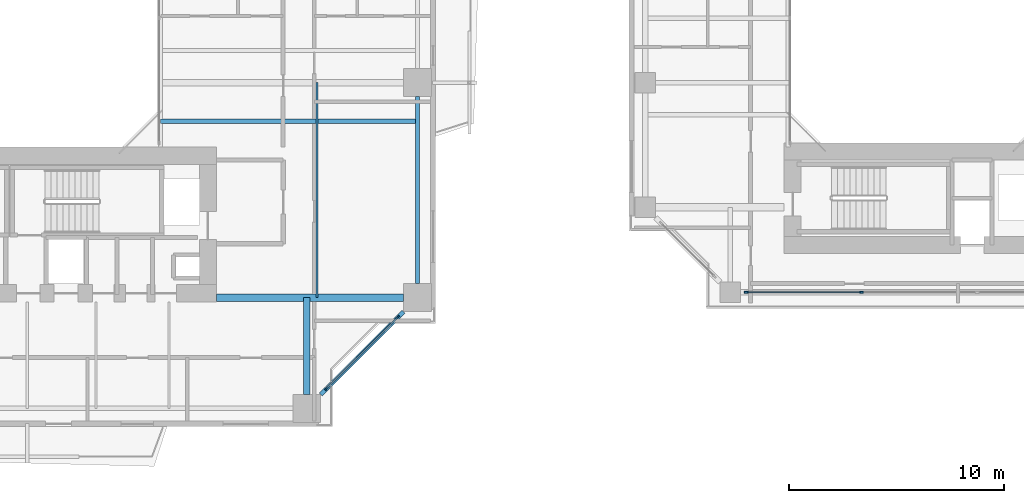
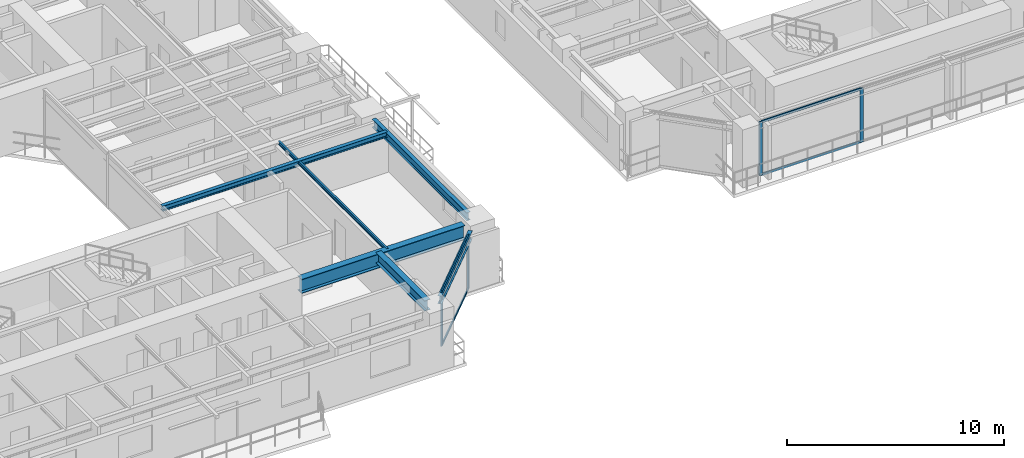
# One storey, part 5 of 24: 8 members, 6 beams, 2 elements without a shape of their own.
"""IFC4 building model written with IfcOpenShell, lengths in metres."""

from ifc_helpers import new_model, si_unit, direction, frame, origin, origin_2d, place, context, subcontext, project, spatial, rectangle, i_section, extrude, source, transform, mapped, material, layer, layer_set, material_profile, profile_set, type_object, element, aggregate, save


model = new_model("IFC4")

# Units and contexts
model_context = context("Model", 3, precision=1e-05, world=origin(), true_north=direction((0.0, 1.0)))
body_context = subcontext(model_context, "Body", "Model", "MODEL_VIEW")
ifc_project = project(units=[si_unit("LENGTHUNIT", "METRE"), si_unit("AREAUNIT", "SQUARE_METRE"), si_unit("VOLUMEUNIT", "CUBIC_METRE"), si_unit("PLANEANGLEUNIT", "RADIAN"), si_unit("MASSUNIT", "GRAM", prefix="KILO"), si_unit("THERMODYNAMICTEMPERATUREUNIT", "KELVIN"), si_unit("POWERUNIT", "WATT")], contexts=[model_context])

# Site, building, storey
site_placement = place(None, origin())
site = spatial("IfcSite", under=ifc_project, at=site_placement, CompositionType="ELEMENT")
building_placement = place(site_placement, origin())
building = spatial("IfcBuilding", under=site, at=building_placement, Name="Qiaomeng Ring Towers", CompositionType="ELEMENT")
storey_placement = place(building_placement, frame((0.0, 0.0, 42.5)))
storey = spatial("IfcBuildingStorey", under=building, at=storey_placement, Name="L11", CompositionType="ELEMENT", Elevation=42.5)

# Beams
ifc_material_1 = material(Name="Steel Q355B", Category="steel")
ifc_material_profile_1 = material_profile(ifc_material_1, i_section(OverallWidth=0.199951171875, OverallDepth=0.449951171875, WebThickness=0.009033203125, FlangeThickness=0.013916015625, FilletRadius=0.01806640625, at=origin_2d()), Name="HN 450x200x9x14")
ifc_profile_set_1 = profile_set([ifc_material_profile_1], Name="Steel Q355B")
beam_type_1 = type_object("IfcBeamType", Name="STR-BM-HN450", PredefinedType="SPANDREL", material=ifc_profile_set_1)
shared_shape_1 = source(origin(), body_context, "Body", "SweptSolid", [
    extrude(i_section(OverallWidth=0.199951171875, OverallDepth=0.449951171875, WebThickness=0.009033203125, FlangeThickness=0.013916015625, FilletRadius=0.01806640625, at=origin_2d()), origin(), (0.0, 0.0, 1.0), 5.446533203125),
])
beam_1_placement = place(storey_placement, frame((32.6494140625, 5.499267578125, 2.804931640625), z_axis=(0.707106781187, 0.707106781187, 0.0), x_axis=(-0.707106781187, 0.707106781187, 0.0)))
element("IfcBeam", 1, at=beam_1_placement, inside=storey, type_object=beam_type_1, Name="L11 beam STR-SP-L11-T1-S2-E1", PredefinedType="SPANDREL", context=body_context, shape_type="MappedRepresentation", body=[
    mapped(shared_shape_1, transform((0.0, 0.0, 0.0), x_axis=(1.0, 0.0, 0.0), y_axis=(0.0, 1.0, 0.0), z_axis=(0.0, 0.0, 1.0), scale=1.0)),
])
shared_shape_2 = source(origin(), body_context, "Body", "SweptSolid", [
    extrude(i_section(OverallWidth=0.199951171875, OverallDepth=0.449951171875, WebThickness=0.009033203125, FlangeThickness=0.013916015625, FilletRadius=0.01806640625, at=origin_2d()), origin(), (0.0, 0.0, 1.0), 8.7021484375),
])
beam_2_placement = place(storey_placement, frame((37.14990234375, 10.64892578125, 2.804931640625), z_axis=(0.0, 1.0, 0.0), x_axis=(-1.0, 0.0, 0.0)))
element("IfcBeam", 2, at=beam_2_placement, inside=storey, type_object=beam_type_1, Name="L11 beam STR-SP-L11-T1-E1-E2", PredefinedType="SPANDREL", context=body_context, shape_type="MappedRepresentation", body=[
    mapped(shared_shape_2, transform((0.0, 0.0, 0.0), x_axis=(1.0, 0.0, 0.0), y_axis=(0.0, 1.0, 0.0), z_axis=(0.0, 0.0, 1.0), scale=1.0)),
])
ifc_material_2 = material(Name="Steel Q390GJC", Category="steel")
ifc_material_profile_2 = material_profile(ifc_material_2, i_section(OverallWidth=0.35009765625, OverallDepth=0.800048828125, WebThickness=0.01611328125, FlangeThickness=0.028076171875, at=origin_2d()), Name="WH 800x350x16x28")
ifc_profile_set_2 = profile_set([ifc_material_profile_2], Name="Steel Q390GJC")
beam_type_2 = type_object("IfcBeamType", Name="STR-BM-WH800", PredefinedType="BEAM", material=ifc_profile_set_2)
shared_shape_3 = source(origin(), body_context, "Body", "SweptSolid", [
    extrude(i_section(OverallWidth=0.35009765625, OverallDepth=0.800048828125, WebThickness=0.01611328125, FlangeThickness=0.028076171875, at=origin_2d()), origin(), (0.0, 0.0, 1.0), 8.700927734375),
])
beam_3_placement = place(storey_placement, frame((27.800048828125, 10.0, 2.6298828125), z_axis=(1.0, 0.0, 0.0), x_axis=(0.0, 1.0, 0.0)))
element("IfcBeam", 3, at=beam_3_placement, inside=storey, type_object=beam_type_2, Name="L11 beam STR-BM-L11-T1-RAD-E1", PredefinedType="BEAM", context=body_context, shape_type="MappedRepresentation", body=[
    mapped(shared_shape_3, transform((0.0, 0.0, 0.0), x_axis=(1.0, 0.0, 0.0), y_axis=(0.0, 1.0, 0.0), z_axis=(0.0, 0.0, 1.0), scale=1.0)),
])
ifc_material_profile_3 = material_profile(ifc_material_1, i_section(OverallWidth=0.300048828125, OverallDepth=0.587890625, WebThickness=0.011962890625, FlangeThickness=0.02001953125, FilletRadius=0.028076171875, at=origin_2d()), Name="HM 588x300x12x20")
ifc_profile_set_3 = profile_set([ifc_material_profile_3], Name="Steel Q355B")
beam_type_3 = type_object("IfcBeamType", Name="STR-BM-HM588", PredefinedType="BEAM", material=ifc_profile_set_3)
shared_shape_4 = source(origin(), body_context, "Body", "SweptSolid", [
    extrude(i_section(OverallWidth=0.300048828125, OverallDepth=0.587890625, WebThickness=0.011962890625, FlangeThickness=0.02001953125, FilletRadius=0.028076171875, at=origin_2d()), origin(), (0.0, 0.0, 1.0), 4.5009765625),
])
beam_4_placement = place(storey_placement, frame((32.0, 5.4990234375, 2.736083984375), z_axis=(0.0, 1.0, 0.0), x_axis=(-1.0, 0.0, 0.0)))
element("IfcBeam", 4, at=beam_4_placement, inside=storey, type_object=beam_type_3, Name="L11 beam STR-BM-L11-T1-RAD-S2", PredefinedType="BEAM", context=body_context, shape_type="MappedRepresentation", body=[
    mapped(shared_shape_4, transform((0.0, 0.0, 0.0), x_axis=(1.0, 0.0, 0.0), y_axis=(0.0, 1.0, 0.0), z_axis=(0.0, 0.0, 1.0), scale=1.0)),
])
ifc_material_profile_4 = material_profile(ifc_material_1, i_section(OverallWidth=0.199951171875, OverallDepth=0.2939453125, WebThickness=0.008056640625, FlangeThickness=0.011962890625, FilletRadius=0.01806640625, at=origin_2d()), Name="HM 294x200x8x12")
ifc_profile_set_4 = profile_set([ifc_material_profile_4], Name="Steel Q355B")
beam_type_4 = type_object("IfcBeamType", Name="STR-BM-HM294", PredefinedType="JOIST", material=ifc_profile_set_4)
shared_shape_5 = source(origin(), body_context, "Body", "SweptSolid", [
    extrude(i_section(OverallWidth=0.199951171875, OverallDepth=0.2939453125, WebThickness=0.008056640625, FlangeThickness=0.011962890625, FilletRadius=0.01806640625, at=origin_2d()), origin(), (0.0, 0.0, 1.0), 11.949951171875),
])
beam_5_placement = place(storey_placement, frame((25.199951171875, 18.199951171875, 2.883056640625), z_axis=(1.0, 0.0, 0.0), x_axis=(0.0, 1.0, 0.0)))
element("IfcBeam", 5, at=beam_5_placement, inside=storey, type_object=beam_type_4, Name="L11 beam STR-JST-L11-T1E-1", PredefinedType="JOIST", context=body_context, shape_type="MappedRepresentation", body=[
    mapped(shared_shape_5, transform((0.0, 0.0, 0.0), x_axis=(1.0, 0.0, 0.0), y_axis=(0.0, 1.0, 0.0), z_axis=(0.0, 0.0, 1.0), scale=1.0)),
])
ifc_material_profile_5 = material_profile(ifc_material_1, i_section(OverallWidth=0.10009765625, OverallDepth=0.199951171875, WebThickness=0.005615234375, FlangeThickness=0.008056640625, FilletRadius=0.010986328125, at=origin_2d()), Name="HN 200x100x5.5x8")
ifc_profile_set_5 = profile_set([ifc_material_profile_5], Name="Steel Q355B")
beam_type_5 = type_object("IfcBeamType", Name="STR-BM-HN200", PredefinedType="JOIST", material=ifc_profile_set_5)
shared_shape_6 = source(origin(), body_context, "Body", "SweptSolid", [
    extrude(i_section(OverallWidth=0.10009765625, OverallDepth=0.199951171875, WebThickness=0.005615234375, FlangeThickness=0.008056640625, FilletRadius=0.010986328125, at=origin_2d()), origin(), (0.0, 0.0, 1.0), 10.0),
])
beam_6_placement = place(storey_placement, frame((32.47509765625, 10.0, 2.929931640625), z_axis=(0.0, 1.0, 0.0), x_axis=(-1.0, 0.0, 0.0)))
element("IfcBeam", 6, at=beam_6_placement, inside=storey, type_object=beam_type_5, Name="L11 beam STR-JST-L11-T1C-ES", PredefinedType="JOIST", context=body_context, shape_type="MappedRepresentation", body=[
    mapped(shared_shape_6, transform((0.0, 0.0, 0.0), x_axis=(1.0, 0.0, 0.0), y_axis=(0.0, 1.0, 0.0), z_axis=(0.0, 0.0, 1.0), scale=1.0)),
])

# Curtain wall, members
ifc_material_3 = material(Name="Fluorocarbon dark-grey aluminium", Category="aluminium")
ifc_layer_1 = layer(ifc_material_3, 0.159912109375, Name="Fluorocarbon dark-grey aluminium")
ifc_layer_set_1 = layer_set([ifc_layer_1], Name="Fluorocarbon dark-grey aluminium")
curtain_wall_type_1 = type_object("IfcCurtainWallType", Name="ARC-CW-2", PredefinedType="NOTDEFINED", material=ifc_layer_set_1)
curtain_wall_1_placement = place(storey_placement, origin())
curtain_wall_1 = element("IfcCurtainWall", 7, at=curtain_wall_1_placement, inside=storey, type_object=curtain_wall_type_1, Name="L11 Curtain Wall CW2", PredefinedType="NOTDEFINED")
ifc_material_profile_6 = material_profile(ifc_material_3, rectangle(XDim=0.06494140625, YDim=0.1298828125, at=origin_2d()), Name="ALU TRAN 65x130")
ifc_profile_set_6 = profile_set([ifc_material_profile_6], Name="Fluorocarbon dark-grey aluminium")
member_type_1 = type_object("IfcMemberType", Name="ARC-CWT-120", PredefinedType="USERDEFINED", material=ifc_profile_set_6)
shared_shape_7 = source(origin(), body_context, "Body", "SweptSolid", [
    extrude(rectangle(XDim=0.06494140625, YDim=0.1298828125, at=origin_2d()), origin(), (0.0, 0.0, 1.0), 4.6259765625),
])
member_1_placement = place(storey_placement, frame((32.939453125, 5.78955078125, 0.032470703125), z_axis=(0.707106781187, 0.707106781187, 0.0), x_axis=(-0.707106781187, 0.707106781187, 0.0)))
member_1 = element("IfcMember", 8, at=member_1_placement, type_object=member_type_1, Name="CW2 transom 1.1", ObjectType="TRANSOM", PredefinedType="USERDEFINED", context=body_context, shape_type="MappedRepresentation", body=[
    mapped(shared_shape_7, transform((0.0, 0.0, 0.0), x_axis=(1.0, 0.0, 0.0), y_axis=(0.0, 1.0, 0.0), z_axis=(0.0, 0.0, 1.0), scale=1.0)),
])
member_2_placement = place(storey_placement, frame((32.939453125, 5.78955078125, 2.99755859375), z_axis=(0.707106781187, 0.707106781187, 0.0), x_axis=(-0.707106781187, 0.707106781187, 0.0)))
member_2 = element("IfcMember", 9, at=member_2_placement, type_object=member_type_1, Name="CW2 transom 1.2", ObjectType="TRANSOM", PredefinedType="USERDEFINED", context=body_context, shape_type="MappedRepresentation", body=[
    mapped(shared_shape_7, transform((0.0, 0.0, 0.0), x_axis=(1.0, 0.0, 0.0), y_axis=(0.0, 1.0, 0.0), z_axis=(0.0, 0.0, 1.0), scale=1.0)),
])

ifc_layer_2 = layer(ifc_material_3, 0.14990234375, Name="Fluorocarbon dark-grey aluminium")
ifc_layer_set_2 = layer_set([ifc_layer_2], Name="Fluorocarbon dark-grey aluminium")
curtain_wall_type_2 = type_object("IfcCurtainWallType", Name="ARC-CW-5", PredefinedType="NOTDEFINED", material=ifc_layer_set_2)
curtain_wall_2_placement = place(storey_placement, origin())
curtain_wall_2 = element("IfcCurtainWall", 10, at=curtain_wall_2_placement, inside=storey, type_object=curtain_wall_type_2, Name="L11 Curtain Wall CW5", PredefinedType="NOTDEFINED")
shared_shape_8 = source(origin(), body_context, "Body", "SweptSolid", [
    extrude(rectangle(XDim=0.06494140625, YDim=0.1298828125, at=origin_2d()), origin(), (0.0, 0.0, 1.0), 5.284912109375),
])
member_3_placement = place(storey_placement, frame((52.485107421875, 10.25, 0.032470703125), z_axis=(1.0, 0.0, 0.0), x_axis=(0.0, 1.0, 0.0)))
member_3 = element("IfcMember", 11, at=member_3_placement, type_object=member_type_1, Name="CW5 transom 1.1", ObjectType="TRANSOM", PredefinedType="USERDEFINED", context=body_context, shape_type="MappedRepresentation", body=[
    mapped(shared_shape_8, transform((0.0, 0.0, 0.0), x_axis=(1.0, 0.0, 0.0), y_axis=(0.0, 1.0, 0.0), z_axis=(0.0, 0.0, 1.0), scale=1.0)),
])
member_4_placement = place(storey_placement, frame((52.485107421875, 10.25, 2.99755859375), z_axis=(1.0, 0.0, 0.0), x_axis=(0.0, 1.0, 0.0)))
member_4 = element("IfcMember", 12, at=member_4_placement, type_object=member_type_1, Name="CW5 transom 1.2", ObjectType="TRANSOM", PredefinedType="USERDEFINED", context=body_context, shape_type="MappedRepresentation", body=[
    mapped(shared_shape_8, transform((0.0, 0.0, 0.0), x_axis=(1.0, 0.0, 0.0), y_axis=(0.0, 1.0, 0.0), z_axis=(0.0, 0.0, 1.0), scale=1.0)),
])

# Member
ifc_material_profile_7 = material_profile(ifc_material_3, rectangle(XDim=0.070068359375, YDim=0.179931640625, at=origin_2d()), Name="ALU MULL 70x180")
ifc_profile_set_7 = profile_set([ifc_material_profile_7], Name="Fluorocarbon dark-grey aluminium")
member_type_2 = type_object("IfcMemberType", Name="ARC-CWM-160", PredefinedType="MULLION", material=ifc_profile_set_7)
shared_shape_9 = source(origin(), body_context, "Body", "SweptSolid", [
    extrude(rectangle(XDim=0.070068359375, YDim=0.179931640625, at=origin_2d()), origin(), (0.0, 0.0, 1.0), 3.030029296875),
])
member_5_placement = place(storey_placement, frame((32.914794921875, 5.7646484375, 0.0), z_axis=(0.0, 0.0, 1.0), x_axis=(-0.707106781187, 0.707106781187, 0.0)))
member_5 = element("IfcMember", 13, at=member_5_placement, type_object=member_type_2, Name="CW2 mullion 1", PredefinedType="MULLION", context=body_context, shape_type="MappedRepresentation", body=[
    mapped(shared_shape_9, transform((0.0, 0.0, 0.0), x_axis=(1.0, 0.0, 0.0), y_axis=(0.0, 1.0, 0.0), z_axis=(0.0, 0.0, 1.0), scale=1.0)),
])

member_6_placement = place(storey_placement, frame((36.2353515625, 9.085205078125, 0.0), z_axis=(0.0, 0.0, 1.0), x_axis=(-0.707106781187, 0.707106781187, 0.0)))
member_6 = element("IfcMember", 14, at=member_6_placement, type_object=member_type_2, Name="CW2 mullion 2", PredefinedType="MULLION", context=body_context, shape_type="MappedRepresentation", body=[
    mapped(shared_shape_9, transform((0.0, 0.0, 0.0), x_axis=(1.0, 0.0, 0.0), y_axis=(0.0, 1.0, 0.0), z_axis=(0.0, 0.0, 1.0), scale=1.0)),
])

aggregate(curtain_wall_1, [member_5, member_6, member_1, member_2])

member_7_placement = place(storey_placement, frame((52.449951171875, 10.25, 0.0), z_axis=(0.0, 0.0, 1.0), x_axis=(0.0, 1.0, 0.0)))
member_7 = element("IfcMember", 15, at=member_7_placement, type_object=member_type_2, Name="CW5 mullion 1", PredefinedType="MULLION", context=body_context, shape_type="MappedRepresentation", body=[
    mapped(shared_shape_9, transform((0.0, 0.0, 0.0), x_axis=(1.0, 0.0, 0.0), y_axis=(0.0, 1.0, 0.0), z_axis=(0.0, 0.0, 1.0), scale=1.0)),
])

member_8_placement = place(storey_placement, frame((57.804931640625, 10.25, 0.0), z_axis=(0.0, 0.0, 1.0), x_axis=(0.0, 1.0, 0.0)))
member_8 = element("IfcMember", 16, at=member_8_placement, type_object=member_type_2, Name="CW5 mullion 2", PredefinedType="MULLION", context=body_context, shape_type="MappedRepresentation", body=[
    mapped(shared_shape_9, transform((0.0, 0.0, 0.0), x_axis=(1.0, 0.0, 0.0), y_axis=(0.0, 1.0, 0.0), z_axis=(0.0, 0.0, 1.0), scale=1.0)),
])

aggregate(curtain_wall_2, [member_7, member_8, member_3, member_4])

save(model, "model.ifc")
